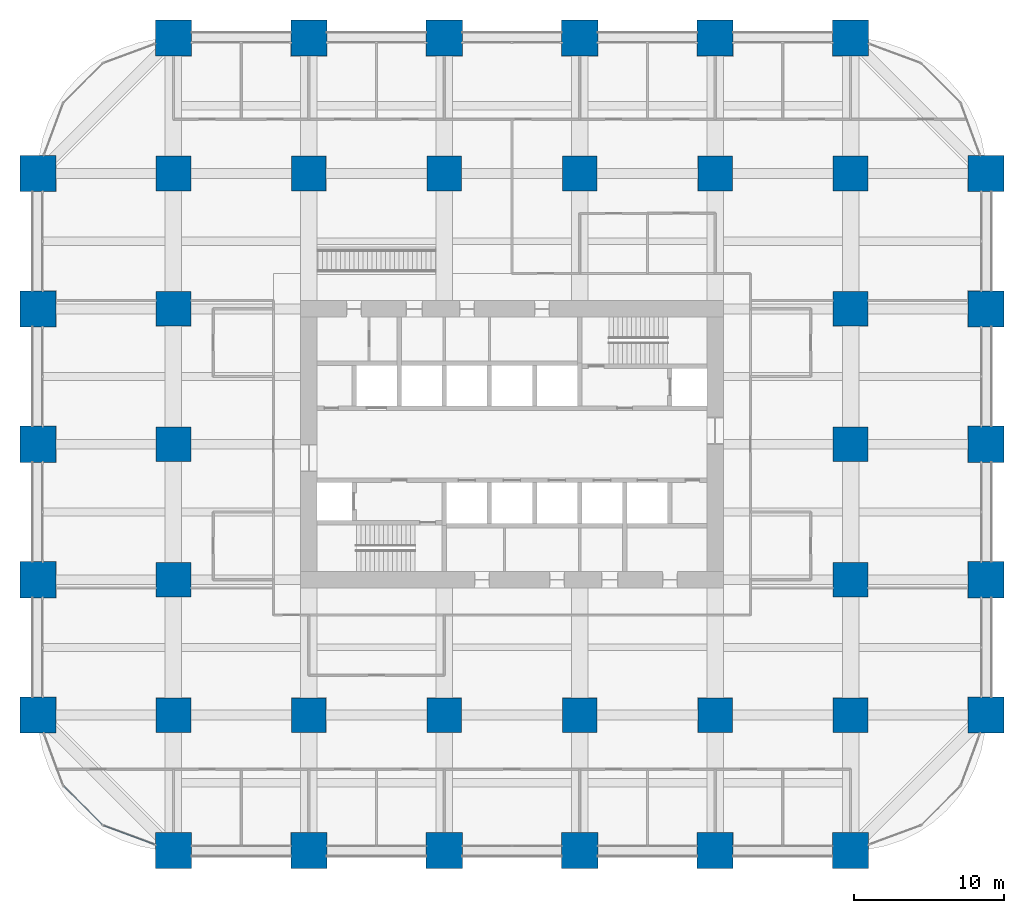
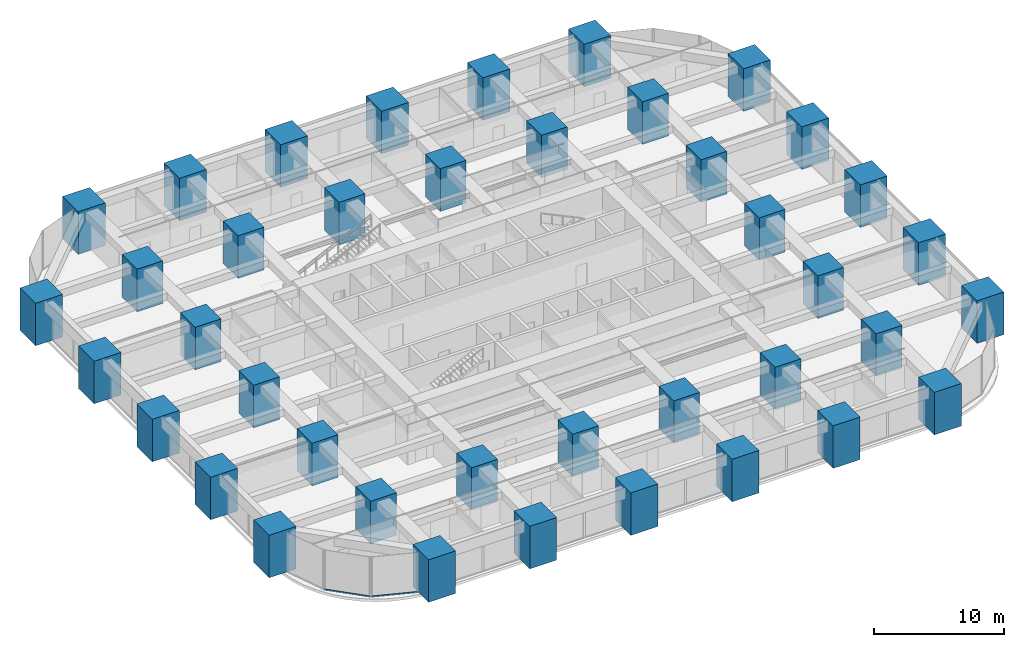
# One storey, part 1 of 45: 40 columns, 2 members, 2 elements without a shape of their own.
"""IFC4 building model written with IfcOpenShell, lengths in metres."""

import ifcopenshell
import ifcopenshell.guid

model = None  # the IFC model being written
_history = None  # IfcOwnerHistory: only IFC2X3 demands one
_inside = {}  # id of a spatial element -> (the spatial element, [elements in it])
_under = {}  # id of a project, library or spatial element -> (it, [spatial elements below it])
_declared = {}  # id of a project -> (the project, [libraries it declares])
_typed = {}  # id of a type object -> (the type object, [elements of that type])
_made_of = {}  # id of a material, layer set ... -> (it, [elements and type objects made of it])


def new_model(schema):
    """Start an empty IFC model of exactly this schema.

    Asked for "IFC4X3", IfcOpenShell would pick the latest addendum, in which some entities
    have other attributes; the version numbers below select the first issue.
    IFC2X3 requires an IfcOwnerHistory on every rooted entity: one is made here for all.
    """
    global model, _history
    if schema == "IFC4X3":
        model = ifcopenshell.file(schema_version=(4, 3, 0, 0))
    else:
        model = ifcopenshell.file(schema=schema)
    _inside.clear()
    _under.clear()
    _declared.clear()
    _typed.clear()
    _made_of.clear()
    _history = None
    if model.schema == "IFC2X3":
        org = make("IfcOrganization", Name="unknown")
        user = make(
            "IfcPersonAndOrganization",
            ThePerson=make("IfcPerson", FamilyName="unknown"),
            TheOrganization=org,
        )
        app = make(
            "IfcApplication",
            ApplicationDeveloper=org,
            Version="unknown",
            ApplicationFullName="unknown",
            ApplicationIdentifier="unknown",
        )
        _history = make(
            "IfcOwnerHistory",
            OwningUser=user,
            OwningApplication=app,
            ChangeAction="ADDED",
            CreationDate=0,
        )
    return model


def make(cls, **values):
    """One entity of the class cls with the attributes given. An attribute that is None is left unset."""
    return model.create_entity(
        cls, **{name: value for name, value in values.items() if value is not None}
    )


def rooted(cls, **values):
    """An entity with a GlobalId (a new one), such as an element, a storey or a relation."""
    return make(cls, GlobalId=ifcopenshell.guid.new(), OwnerHistory=_history, **values)


def si_unit(unit_type, name, prefix=None):
    """IfcSIUnit, for example si_unit("LENGTHUNIT", "METRE", prefix="MILLI")."""
    return make("IfcSIUnit", UnitType=unit_type, Prefix=prefix, Name=name)


def assignment(units):
    """IfcUnitAssignment: the units of a project."""
    return None if units is None else make("IfcUnitAssignment", Units=units)


def point(xyz):
    """IfcCartesianPoint."""
    return None if xyz is None else make("IfcCartesianPoint", Coordinates=xyz)


def direction(xyz):
    """IfcDirection."""
    return None if xyz is None else make("IfcDirection", DirectionRatios=xyz)


def frame(location, z_axis=None, x_axis=None):
    """IfcAxis2Placement3D, a coordinate frame: its origin and axes. An axis left out is left unset."""
    return make(
        "IfcAxis2Placement3D",
        Location=point(location),
        Axis=direction(z_axis),
        RefDirection=direction(x_axis),
    )


def frame_2d(location, x_axis=None):
    """IfcAxis2Placement2D, a coordinate frame in the plane: its origin and x axis."""
    return make(
        "IfcAxis2Placement2D", Location=point(location), RefDirection=direction(x_axis)
    )


def origin():
    """The frame at (0, 0, 0) with its axes left unset."""
    return frame((0.0, 0.0, 0.0))


def origin_2d():
    """The frame at (0, 0) in the plane with its x axis left unset."""
    return frame_2d((0.0, 0.0))


def place(relative_to, where):
    """IfcLocalPlacement: puts the frame where relative to a parent placement (None: the world)."""
    return make(
        "IfcLocalPlacement", PlacementRelTo=relative_to, RelativePlacement=where
    )


def context(
    kind, dimensions, precision=None, world=None, true_north=None, identifier=None
):
    """IfcGeometricRepresentationContext, for example the 3D "Model" context."""
    return make(
        "IfcGeometricRepresentationContext",
        ContextIdentifier=identifier,
        ContextType=kind,
        CoordinateSpaceDimension=dimensions,
        Precision=precision,
        WorldCoordinateSystem=world,
        TrueNorth=true_north,
    )


def subcontext(parent, identifier, kind, view, scale=None):
    """IfcGeometricRepresentationSubContext, for example "Body" below "Model"."""
    return make(
        "IfcGeometricRepresentationSubContext",
        ContextIdentifier=identifier,
        ContextType=kind,
        ParentContext=parent,
        TargetScale=scale,
        TargetView=view,
    )


def project(units=None, contexts=None):
    """IfcProject with its units and contexts."""
    return rooted(
        "IfcProject",
        Name="project",
        RepresentationContexts=contexts,
        UnitsInContext=assignment(units),
    )


def spatial(cls, under=None, at=None, **own):
    """A site, building, storey or space (cls), placed at a placement, below another one or the project."""
    s = rooted(cls, ObjectPlacement=at, **own)
    if under is not None:
        _under.setdefault(under.id(), (under, []))[1].append(s)
    return s


def profile(cls, at=None, kind="AREA", **sizes):
    """A parametric profile (cls). Its sizes go by their IFC names, for example OverallWidth=200.0."""
    return make(cls, ProfileType=kind, Position=at, **sizes)


def rectangle(**sizes):
    """IfcRectangleProfileDef."""
    return profile("IfcRectangleProfileDef", **sizes)


def hollow_rectangle(**sizes):
    """IfcRectangleHollowProfileDef."""
    return profile("IfcRectangleHollowProfileDef", **sizes)


def extrude(swept, where, along, depth):
    """IfcExtrudedAreaSolid: the profile swept, set in the frame where, extruded along a direction by depth."""
    return make(
        "IfcExtrudedAreaSolid",
        SweptArea=swept,
        Position=where,
        ExtrudedDirection=direction(along),
        Depth=depth,
    )


def shape(context_of_items, identifier, shape_type, items):
    """IfcShapeRepresentation: the items that make up one representation, for example the "Body"."""
    return make(
        "IfcShapeRepresentation",
        ContextOfItems=context_of_items,
        RepresentationIdentifier=identifier,
        RepresentationType=shape_type,
        Items=items,
    )


def material(Name=None, Category=None):
    """IfcMaterial."""
    return make("IfcMaterial", Name=Name, Category=Category)


def material_profile(
    of_material, cross_section, Name=None, Category=None, Priority=None
):
    """IfcMaterialProfile: a cross section and its material."""
    return make(
        "IfcMaterialProfile",
        Name=Name,
        Material=of_material,
        Profile=cross_section,
        Priority=Priority,
        Category=Category,
    )


def profile_set(profiles, Name=None, composite=None):
    """IfcMaterialProfileSet."""
    return make(
        "IfcMaterialProfileSet",
        Name=Name,
        MaterialProfiles=profiles,
        CompositeProfile=composite,
    )


def made_of(thing, what):
    """Note that an element or type object is made of a material, layer set ...; save() writes the relation."""
    if what is not None:
        _made_of.setdefault(what.id(), (what, []))[1].append(thing)
    return thing


def type_object(cls, material=None, **own):
    """A type object (cls), such as IfcWallType, which elements share."""
    return made_of(rooted(cls, **own), material)


def element(
    cls,
    number,
    at=None,
    inside=None,
    cuts=None,
    type_object=None,
    material=None,
    context=None,
    identifier="Body",
    shape_type=None,
    held_by="IfcProductDefinitionShape",
    body=None,
    shapes=None,
    **own,
):
    """One element of the class cls, such as IfcWall. Its Tag is "e" and its number.

    at: its placement. inside: the storey or other place that contains it. cuts: it is an
    opening in that element (IfcRelVoidsElement). A single representation is given by context,
    identifier, shape_type and body (its items); several are given by shapes. held_by: the class
    of the entity that holds the representations. save() writes the other relations.
    """
    e = rooted(cls, Tag="e%d" % number, ObjectPlacement=at, **own)
    if body is not None:
        shapes = [shape(context, identifier, shape_type, body)]
    if shapes is not None:
        e.Representation = make(held_by, Representations=shapes)
    if inside is not None:
        _inside.setdefault(inside.id(), (inside, []))[1].append(e)
    if cuts is not None:
        rooted(
            "IfcRelVoidsElement", RelatingBuildingElement=cuts, RelatedOpeningElement=e
        )
    if type_object is not None:
        _typed.setdefault(type_object.id(), (type_object, []))[1].append(e)
    return made_of(e, material)


def aggregate(whole, parts):
    """IfcRelAggregates: a whole, such as a stair, and the parts it consists of."""
    return rooted("IfcRelAggregates", RelatingObject=whole, RelatedObjects=parts)


def save(model, path):
    """Write the relations noted so far, then the file.

    IfcRelAggregates (storeys below a building ...), IfcRelContainedInSpatialStructure (elements
    in a storey), IfcRelDefinesByType, IfcRelAssociatesMaterial and IfcRelDeclares: one each for
    every whole, place, type object, material and project.
    """
    for whole, parts in _under.values():
        aggregate(whole, parts)
    for where, things in _inside.values():
        rooted(
            "IfcRelContainedInSpatialStructure",
            RelatedElements=things,
            RelatingStructure=where,
        )
    for kind, things in _typed.values():
        rooted("IfcRelDefinesByType", RelatedObjects=things, RelatingType=kind)
    for what, things in _made_of.values():
        rooted("IfcRelAssociatesMaterial", RelatedObjects=things, RelatingMaterial=what)
    for by, libraries in _declared.values():
        rooted("IfcRelDeclares", RelatingContext=by, RelatedDefinitions=libraries)
    model.write(path)


model = new_model("IFC4")

# Units and contexts
model_context = context("Model", 3, precision=1e-05, world=origin(), true_north=direction((0.0, 1.0)))
body_context = subcontext(model_context, "Body", "Model", "MODEL_VIEW")
ifc_project = project(units=[si_unit("LENGTHUNIT", "METRE"), si_unit("AREAUNIT", "SQUARE_METRE"), si_unit("VOLUMEUNIT", "CUBIC_METRE"), si_unit("PLANEANGLEUNIT", "RADIAN"), si_unit("MASSUNIT", "GRAM", prefix="KILO")], contexts=[model_context])

# Site, building, storey
site_placement = place(None, origin())
site = spatial("IfcSite", under=ifc_project, at=site_placement, CompositionType="ELEMENT")
building_placement = place(site_placement, origin())
building = spatial("IfcBuilding", under=site, at=building_placement, Name="Zorevar Civic Tower", CompositionType="ELEMENT")
storey_placement = place(building_placement, frame((0.0, 0.0, 39.800048828125)))
storey = spatial("IfcBuildingStorey", under=building, at=storey_placement, Name="L09", CompositionType="ELEMENT", Elevation=39.800048828125)

# Columns
ifc_material_1 = material(Name="Concrete C50/60", Category="concrete")
ifc_material_profile_1 = material_profile(ifc_material_1, rectangle(XDim=2.300048828125, YDim=2.300048828125, at=origin_2d()), Name="RC 2300x2300")
ifc_profile_set_1 = profile_set([ifc_material_profile_1], Name="Concrete C50/60")
column_type_1 = type_object("IfcColumnType", Name="Column RC 2300x2300", PredefinedType="COLUMN", material=ifc_profile_set_1)
for number, where, z_axis, x_axis, name in (
    (1, (9.0, 9.0, 0.0), (0.0, 0.0, 1.0), (1.0, 0.0, 0.0), "Column 3B L09"),
    (2, (9.0, 18.0, 0.0), (0.0, 0.0, 1.0), (1.0, 0.0, 0.0), "Column 3C L09"),
    (3, (9.0, 27.0, 0.0), (0.0, 0.0, 1.0), (1.0, 0.0, 0.0), "Column 3D L09"),
    (4, (9.0, 36.0, 0.0), (0.0, 0.0, 1.0), (1.0, 0.0, 0.0), "Column 3E L09"),
    (5, (9.0, 45.0, 0.0), (0.0, 0.0, 1.0), (1.0, 0.0, 0.0), "Column 3F L09"),
    (6, (18.0, 9.0, 0.0), (0.0, 0.0, 1.0), (1.0, 0.0, 0.0), "Column 4B L09"),
    (7, (18.0, 45.0, 0.0), (0.0, 0.0, 1.0), (1.0, 0.0, 0.0), "Column 4F L09"),
    (8, (27.0, 9.0, 0.0), (0.0, 0.0, 1.0), (1.0, 0.0, 0.0), "Column 5B L09"),
    (9, (27.0, 45.0, 0.0), (0.0, 0.0, 1.0), (1.0, 0.0, 0.0), "Column 5F L09"),
    (10, (36.0, 9.0, 0.0), (0.0, 0.0, 1.0), (1.0, 0.0, 0.0), "Column 6B L09"),
    (11, (36.0, 45.0, 0.0), (0.0, 0.0, 1.0), (1.0, 0.0, 0.0), "Column 6F L09"),
    (12, (45.0, 9.0, 0.0), (0.0, 0.0, 1.0), (1.0, 0.0, 0.0), "Column 7B L09"),
    (13, (45.0, 45.0, 0.0), (0.0, 0.0, 1.0), (1.0, 0.0, 0.0), "Column 7F L09"),
    (14, (54.0, 9.0, 0.0), (0.0, 0.0, 1.0), (1.0, 0.0, 0.0), "Column 8B L09"),
    (15, (54.0, 18.0, 0.0), (0.0, 0.0, 1.0), (1.0, 0.0, 0.0), "Column 8C L09"),
    (16, (54.0, 27.0, 0.0), (0.0, 0.0, 1.0), (1.0, 0.0, 0.0), "Column 8D L09"),
    (17, (54.0, 36.0, 0.0), (0.0, 0.0, 1.0), (1.0, 0.0, 0.0), "Column 8E L09"),
    (18, (54.0, 45.0, 0.0), (0.0, 0.0, 1.0), (1.0, 0.0, 0.0), "Column 8F L09"),
):
    element("IfcColumn", number, at=place(storey_placement, frame(where, z_axis=z_axis, x_axis=x_axis)), inside=storey, type_object=column_type_1, Name=name, PredefinedType="COLUMN", context=body_context, shape_type="SweptSolid", body=[
        extrude(rectangle(XDim=2.300048828125, YDim=2.300048828125, at=origin_2d()), origin(), (0.0, 0.0, 1.0), 4.0),
    ])
ifc_material_2 = material(Name="Concrete C50/60", Category="concrete")
ifc_material_profile_2 = material_profile(ifc_material_2, rectangle(XDim=2.39990234375, YDim=2.39990234375, at=origin_2d()), Name="RC 2400x2400")
ifc_profile_set_2 = profile_set([ifc_material_profile_2], Name="Concrete C50/60")
column_type_2 = type_object("IfcColumnType", Name="Column RC 2400x2400", PredefinedType="COLUMN", material=ifc_profile_set_2)
for number, where, z_axis, x_axis, name in (
    (19, (0.0, 9.0, 0.0), (0.0, 0.0, 1.0), (1.0, 0.0, 0.0), "Column 2B L09"),
    (20, (0.0, 18.0, 0.0), (0.0, 0.0, 1.0), (1.0, 0.0, 0.0), "Column 2C L09"),
    (21, (0.0, 27.0, 0.0), (0.0, 0.0, 1.0), (1.0, 0.0, 0.0), "Column 2D L09"),
    (22, (0.0, 36.0, 0.0), (0.0, 0.0, 1.0), (1.0, 0.0, 0.0), "Column 2E L09"),
    (23, (0.0, 45.0, 0.0), (0.0, 0.0, 1.0), (1.0, 0.0, 0.0), "Column 2F L09"),
    (24, (9.0, 0.0, 0.0), (0.0, 0.0, 1.0), (1.0, 0.0, 0.0), "Column 3A L09"),
    (25, (9.0, 54.0, 0.0), (0.0, 0.0, 1.0), (1.0, 0.0, 0.0), "Column 3G L09"),
    (26, (18.0, 0.0, 0.0), (0.0, 0.0, 1.0), (1.0, 0.0, 0.0), "Column 4A L09"),
    (27, (18.0, 54.0, 0.0), (0.0, 0.0, 1.0), (1.0, 0.0, 0.0), "Column 4G L09"),
    (28, (27.0, 0.0, 0.0), (0.0, 0.0, 1.0), (1.0, 0.0, 0.0), "Column 5A L09"),
    (29, (27.0, 54.0, 0.0), (0.0, 0.0, 1.0), (1.0, 0.0, 0.0), "Column 5G L09"),
    (30, (36.0, 0.0, 0.0), (0.0, 0.0, 1.0), (1.0, 0.0, 0.0), "Column 6A L09"),
    (31, (36.0, 54.0, 0.0), (0.0, 0.0, 1.0), (1.0, 0.0, 0.0), "Column 6G L09"),
    (32, (45.0, 0.0, 0.0), (0.0, 0.0, 1.0), (1.0, 0.0, 0.0), "Column 7A L09"),
    (33, (45.0, 54.0, 0.0), (0.0, 0.0, 1.0), (1.0, 0.0, 0.0), "Column 7G L09"),
    (34, (54.0, 0.0, 0.0), (0.0, 0.0, 1.0), (1.0, 0.0, 0.0), "Column 8A L09"),
    (35, (54.0, 54.0, 0.0), (0.0, 0.0, 1.0), (1.0, 0.0, 0.0), "Column 8G L09"),
    (36, (63.0, 9.0, 0.0), (0.0, 0.0, 1.0), (1.0, 0.0, 0.0), "Column 9B L09"),
    (37, (63.0, 18.0, 0.0), (0.0, 0.0, 1.0), (1.0, 0.0, 0.0), "Column 9C L09"),
    (38, (63.0, 27.0, 0.0), (0.0, 0.0, 1.0), (1.0, 0.0, 0.0), "Column 9D L09"),
    (39, (63.0, 36.0, 0.0), (0.0, 0.0, 1.0), (1.0, 0.0, 0.0), "Column 9E L09"),
    (40, (63.0, 45.0, 0.0), (0.0, 0.0, 1.0), (1.0, 0.0, 0.0), "Column 9F L09"),
):
    element("IfcColumn", number, at=place(storey_placement, frame(where, z_axis=z_axis, x_axis=x_axis)), inside=storey, type_object=column_type_2, Name=name, PredefinedType="COLUMN", context=body_context, shape_type="SweptSolid", body=[
        extrude(rectangle(XDim=2.39990234375, YDim=2.39990234375, at=origin_2d()), origin(), (0.0, 0.0, 1.0), 4.0),
    ])

# Curtain wall, member
ifc_material_3 = material(Name="Dark grey solar-control glass in black aluminium frame", Category="aluminium")
curtain_wall_type = type_object("IfcCurtainWallType", Name="Curtain wall CW2 low zone", PredefinedType="NOTDEFINED", material=ifc_material_3)
curtain_wall_1_placement = place(storey_placement, origin())
curtain_wall_1 = element("IfcCurtainWall", 41, at=curtain_wall_1_placement, inside=storey, type_object=curtain_wall_type, Name="CW2 L09", PredefinedType="NOTDEFINED")
ifc_material_4 = material(Name="Aluminium, black anodised", Category="aluminium")
ifc_material_profile_3 = material_profile(ifc_material_4, hollow_rectangle(XDim=0.06005859375, YDim=0.14990234375, WallThickness=0.00390625, at=origin_2d()), Name="AL 150x60x4")
ifc_profile_set_3 = profile_set([ifc_material_profile_3], Name="Aluminium, black anodised")
member_type = type_object("IfcMemberType", Name="CW2 transom AL 150x60x4", PredefinedType="USERDEFINED", material=ifc_profile_set_3)
member_1_placement = place(storey_placement, frame((1.716552734375, 4.264892578125, 0.030029296875), z_axis=(0.707106781187, -0.707106781187, 0.0), x_axis=(0.707106781187, 0.707106781187, 0.0)))
member_1 = element("IfcMember", 42, at=member_1_placement, type_object=member_type, Name="CW2 sill transom", ObjectType="TRANSOM", PredefinedType="USERDEFINED", context=body_context, shape_type="SweptSolid", body=[
    extrude(hollow_rectangle(XDim=0.06005859375, YDim=0.14990234375, WallThickness=0.00390625, at=origin_2d()), origin(), (0.0, 0.0, 1.0), 3.60400390625),
])
aggregate(curtain_wall_1, [member_1])

curtain_wall_2_placement = place(storey_placement, origin())
curtain_wall_2 = element("IfcCurtainWall", 43, at=curtain_wall_2_placement, inside=storey, type_object=curtain_wall_type, Name="CW2 L09", PredefinedType="NOTDEFINED")
member_2_placement = place(storey_placement, frame((4.363525390625, 1.6533203125, 0.030029296875), z_axis=(0.93798635741, -0.346672169799, 0.0), x_axis=(0.346672169799, 0.93798635741, 0.0)))
member_2 = element("IfcMember", 44, at=member_2_placement, type_object=member_type, Name="CW2 sill transom", ObjectType="TRANSOM", PredefinedType="USERDEFINED", context=body_context, shape_type="SweptSolid", body=[
    extrude(hollow_rectangle(XDim=0.06005859375, YDim=0.14990234375, WallThickness=0.00390625, at=origin_2d()), origin(), (0.0, 0.0, 1.0), 3.603515625),
])
aggregate(curtain_wall_2, [member_2])

save(model, "model.ifc")
